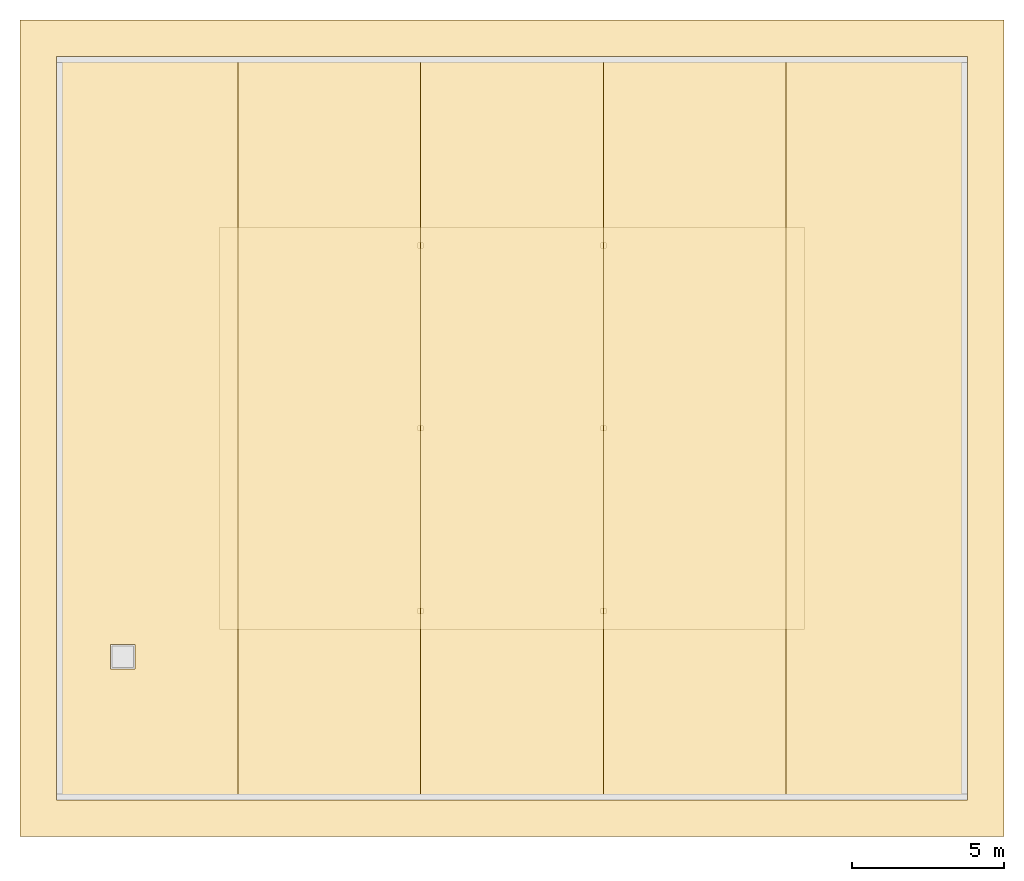
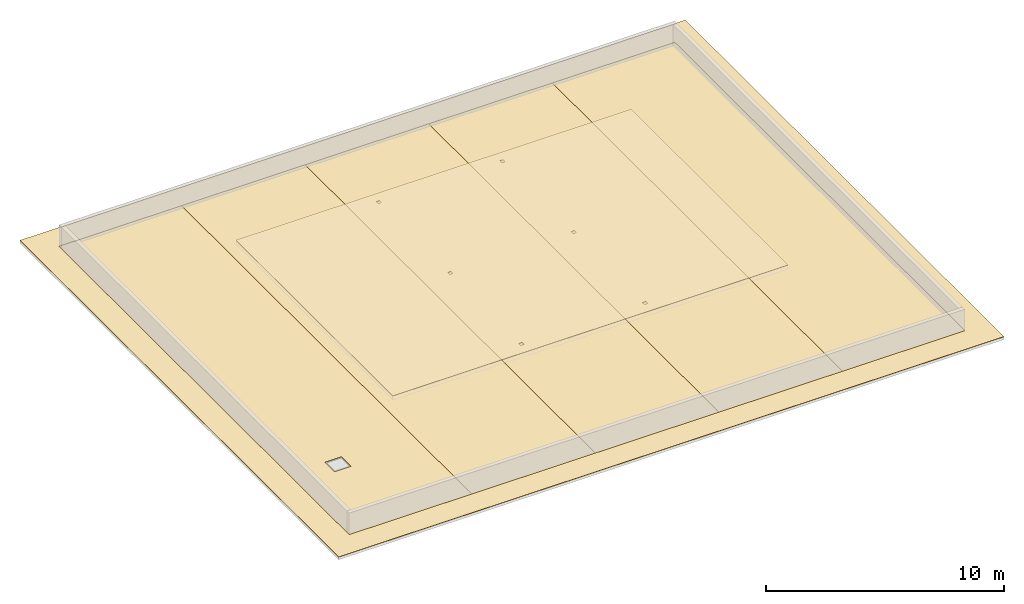
# One storey, part 2 of 2: 7 coverings.
"""IFC4 building model written with IfcOpenShell, lengths in metres."""

from ifc_helpers import new_model, si_unit, direction, frame, origin, place, context, subcontext, project, spatial, polyline, outline, extrude, material, layer, layer_set, type_object, element, save


model = new_model("IFC4")

# Units and contexts
model_context = context("Model", 3, precision=1e-05, world=origin(), true_north=direction((0.0, 1.0)))
body_context = subcontext(model_context, "Body", "Model", "MODEL_VIEW")
ifc_project = project(units=[si_unit("LENGTHUNIT", "METRE"), si_unit("AREAUNIT", "SQUARE_METRE"), si_unit("VOLUMEUNIT", "CUBIC_METRE"), si_unit("PLANEANGLEUNIT", "RADIAN"), si_unit("MASSUNIT", "GRAM", prefix="KILO")], contexts=[model_context])

# Site, building, storey
site_placement = place(None, origin())
site = spatial("IfcSite", under=ifc_project, at=site_placement, CompositionType="ELEMENT")
building_placement = place(site_placement, origin())
building = spatial("IfcBuilding", under=site, at=building_placement, Name="Saffron Lane Theatres", CompositionType="ELEMENT")
storey_placement = place(building_placement, frame((0.0, 0.0, 36.949951171875)))
storey = spatial("IfcBuildingStorey", under=building, at=storey_placement, Name="Roof Tower 1", CompositionType="ELEMENT", Elevation=36.949951171875)

# Coverings
ifc_material = material(Name="Zinc standing seam roofing", Category="metal")
ifc_layer = layer(ifc_material, 0.02001953125)
ifc_layer_set = layer_set([ifc_layer], Name="Zinc standing seam roofing")
covering_type = type_object("IfcCoveringType", Name="ST-ZINC ROOFING", PredefinedType="ROOFING", material=ifc_layer_set)
covering_1_placement = place(storey_placement, frame((0.0, 0.0, 0.030029296875)))
element("IfcCovering", 1, at=covering_1_placement, inside=storey, type_object=covering_type, Name="TZ1", PredefinedType="ROOFING", context=body_context, shape_type="SweptSolid", body=[
    extrude(outline(polyline([(18.050048828125, 30.050048828125), (24.0, 30.050048828125), (24.0, 54.449951171875), (18.050048828125, 54.449951171875), (18.050048828125, 30.050048828125)]), holes=[polyline([(19.824951171875, 34.35009765625), (20.625, 34.35009765625), (20.625, 35.14990234375), (19.824951171875, 35.14990234375), (19.824951171875, 34.35009765625)])]), origin(), (0.0, 0.0, 1.0), 0.02001953125),
])
covering_2_placement = place(storey_placement, frame((0.0, 0.0, 0.030029296875)))
element("IfcCovering", 2, at=covering_2_placement, inside=storey, type_object=covering_type, Name="TZ2", PredefinedType="ROOFING", context=body_context, shape_type="SweptSolid", body=[
    extrude(outline(polyline([(24.0, 30.050048828125), (30.0, 30.050048828125), (30.0, 54.449951171875), (24.0, 54.449951171875), (24.0, 30.050048828125)])), origin(), (0.0, 0.0, 1.0), 0.02001953125),
])
covering_3_placement = place(storey_placement, frame((0.0, 0.0, 0.030029296875)))
element("IfcCovering", 3, at=covering_3_placement, inside=storey, type_object=covering_type, Name="TZ3", PredefinedType="ROOFING", context=body_context, shape_type="SweptSolid", body=[
    extrude(outline(polyline([(30.0, 30.050048828125), (36.0, 30.050048828125), (36.0, 54.449951171875), (30.0, 54.449951171875), (30.0, 30.050048828125)])), origin(), (0.0, 0.0, 1.0), 0.02001953125),
])
covering_4_placement = place(storey_placement, frame((0.0, 0.0, 0.030029296875)))
element("IfcCovering", 4, at=covering_4_placement, inside=storey, type_object=covering_type, Name="TZ4", PredefinedType="ROOFING", context=body_context, shape_type="SweptSolid", body=[
    extrude(outline(polyline([(36.0, 30.050048828125), (42.0, 30.050048828125), (42.0, 54.449951171875), (36.0, 54.449951171875), (36.0, 30.050048828125)])), origin(), (0.0, 0.0, 1.0), 0.02001953125),
])
covering_5_placement = place(storey_placement, frame((0.0, 0.0, 0.030029296875)))
element("IfcCovering", 5, at=covering_5_placement, inside=storey, type_object=covering_type, Name="TZ5", PredefinedType="ROOFING", context=body_context, shape_type="SweptSolid", body=[
    extrude(outline(polyline([(42.0, 30.050048828125), (47.949951171875, 30.050048828125), (47.949951171875, 54.449951171875), (42.0, 54.449951171875), (42.0, 30.050048828125)])), origin(), (0.0, 0.0, 1.0), 0.02001953125),
])
covering_6_placement = place(storey_placement, frame((0.0, 0.0, 0.030029296875)))
element("IfcCovering", 6, at=covering_6_placement, inside=storey, type_object=covering_type, Name="TZ6", PredefinedType="ROOFING", context=body_context, shape_type="SweptSolid", body=[
    extrude(outline(polyline([(16.85009765625, 28.85009765625), (49.14990234375, 28.85009765625), (49.14990234375, 55.64990234375), (16.85009765625, 55.64990234375), (16.85009765625, 28.85009765625)]), holes=[polyline([(18.050048828125, 30.050048828125), (47.949951171875, 30.050048828125), (47.949951171875, 54.449951171875), (18.050048828125, 54.449951171875), (18.050048828125, 30.050048828125)])]), origin(), (0.0, 0.0, 1.0), 0.02001953125),
])
covering_7_placement = place(storey_placement, frame((0.0, 0.0, 1.875)))
element("IfcCovering", 7, at=covering_7_placement, inside=storey, type_object=covering_type, Name="LZ1", PredefinedType="ROOFING", context=body_context, shape_type="SweptSolid", body=[
    extrude(outline(polyline([(23.39990234375, 35.64990234375), (42.60009765625, 35.64990234375), (42.60009765625, 48.85009765625), (23.39990234375, 48.85009765625), (23.39990234375, 35.64990234375)]), holes=[polyline([(29.919921875, 36.169921875), (30.080078125, 36.169921875), (30.080078125, 36.330078125), (29.919921875, 36.330078125), (29.919921875, 36.169921875)]), polyline([(29.919921875, 42.169921875), (30.080078125, 42.169921875), (30.080078125, 42.330078125), (29.919921875, 42.330078125), (29.919921875, 42.169921875)]), polyline([(29.919921875, 48.169921875), (30.080078125, 48.169921875), (30.080078125, 48.330078125), (29.919921875, 48.330078125), (29.919921875, 48.169921875)]), polyline([(35.919921875, 36.169921875), (36.080078125, 36.169921875), (36.080078125, 36.330078125), (35.919921875, 36.330078125), (35.919921875, 36.169921875)]), polyline([(35.919921875, 42.169921875), (36.080078125, 42.169921875), (36.080078125, 42.330078125), (35.919921875, 42.330078125), (35.919921875, 42.169921875)]), polyline([(35.919921875, 48.169921875), (36.080078125, 48.169921875), (36.080078125, 48.330078125), (35.919921875, 48.330078125), (35.919921875, 48.169921875)])]), origin(), (0.0, 0.0, 1.0), 0.02001953125),
])

save(model, "model.ifc")
